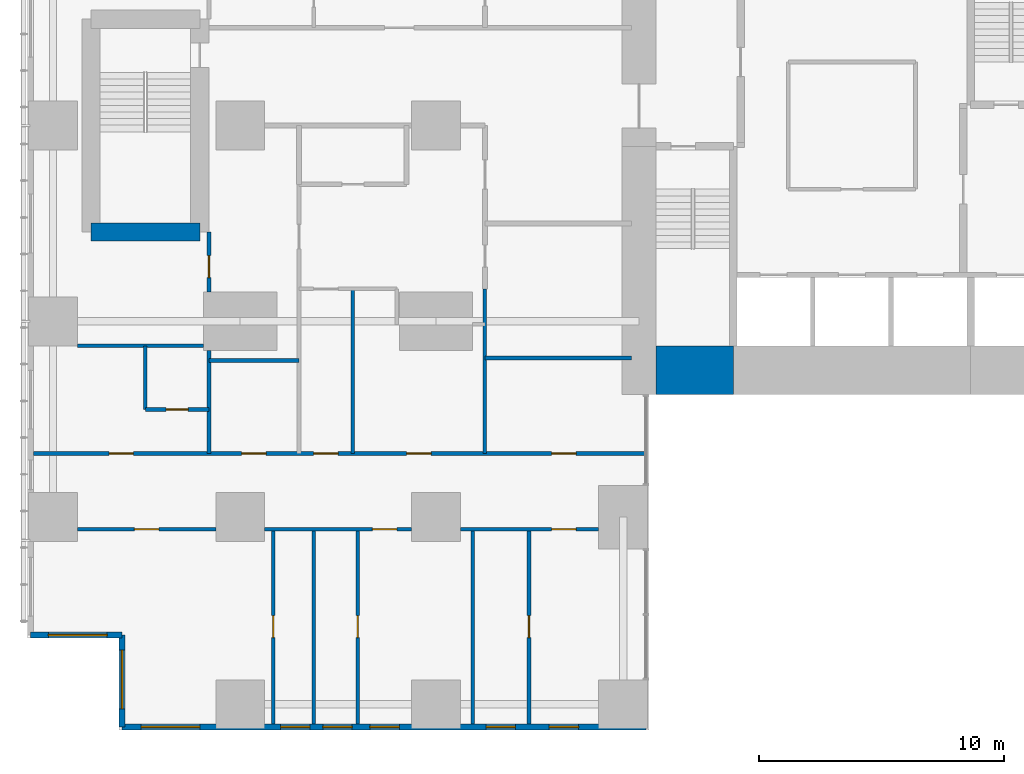
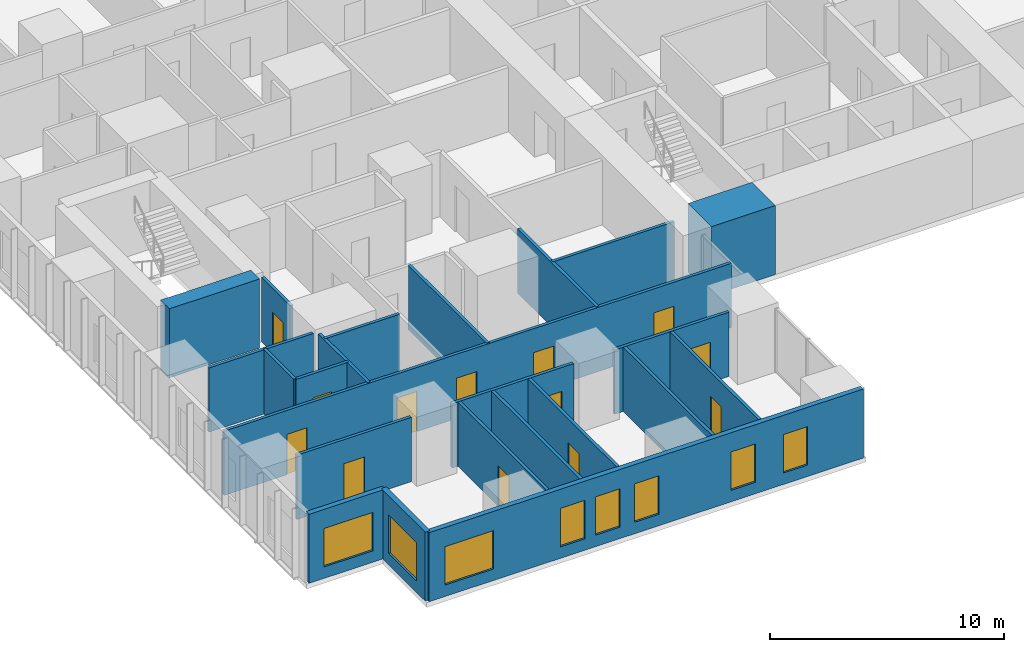
# One storey, part 12 of 20: 23 walls, 13 doors, 8 windows, 21 openings.
"""IFC4 building model written with IfcOpenShell, lengths in metres."""

from ifc_helpers import new_model, si_unit, direction, frame, frame_2d, origin, place, context, subcontext, project, spatial, rectangle, extrude, material, layer, layer_set, type_object, element, fill, save


model = new_model("IFC4")

# Units and contexts
model_context = context("Model", 3, precision=1e-05, world=origin(), true_north=direction((0.0, 1.0)))
body_context = subcontext(model_context, "Body", "Model", "MODEL_VIEW")
ifc_project = project(units=[si_unit("LENGTHUNIT", "METRE"), si_unit("AREAUNIT", "SQUARE_METRE"), si_unit("VOLUMEUNIT", "CUBIC_METRE"), si_unit("PLANEANGLEUNIT", "RADIAN"), si_unit("MASSUNIT", "GRAM", prefix="KILO")], contexts=[model_context])

# Site, building, storey
site_placement = place(None, origin())
site = spatial("IfcSite", under=ifc_project, at=site_placement, CompositionType="ELEMENT")
building_placement = place(site_placement, origin())
building = spatial("IfcBuilding", under=site, at=building_placement, Name="Cleftline Residences", CompositionType="ELEMENT")
storey_placement = place(building_placement, frame((0.0, 0.0, 33.199951171875)))
storey = spatial("IfcBuildingStorey", under=building, at=storey_placement, Name="L07", CompositionType="ELEMENT", Elevation=33.199951171875)

# Wall
ifc_material_1 = material(Name="Concrete B70", Category="concrete")
ifc_layer_1 = layer(ifc_material_1, 2.0)
ifc_layer_set_1 = layer_set([ifc_layer_1], Name="CORE WALL 2000")
wall_type_1 = type_object("IfcWallType", Name="CORE WALL 2000", PredefinedType="SHEAR", material=ifc_layer_set_1)
wall_1_placement = place(storey_placement, frame((25.0, 14.0, 0.0), z_axis=(0.0, 0.0, 1.0), x_axis=(1.0, 0.0, 0.0)))
element("IfcWall", 1, at=wall_1_placement, inside=storey, type_object=wall_type_1, Name="Core wall S1", PredefinedType="SHEAR", context=body_context, shape_type="SweptSolid", body=[
    extrude(rectangle(XDim=3.14990234375, YDim=2.0, at=frame_2d((1.574951171875, 0.0))), origin(), (0.0, 0.0, 1.0), 3.60009765625),
])

# Wall, opening, window
ifc_material_2 = material(Name="Rendered reinforced concrete blockwork", Category="masonry")
ifc_layer_2 = layer(ifc_material_2, 0.25)
ifc_layer_set_2 = layer_set([ifc_layer_2], Name="EXTERNAL WALL 250")
wall_type_2 = type_object("IfcWallType", Name="EXTERNAL WALL 250", PredefinedType="SOLIDWALL", material=ifc_layer_set_2)
wall_2_placement = place(storey_placement, frame((-0.574951171875, 3.175048828125, 0.0), z_axis=(0.0, 0.0, 1.0), x_axis=(1.0, 0.0, 0.0)))
wall_2 = element("IfcWall", 2, at=wall_2_placement, inside=storey, type_object=wall_type_2, Name="External wall", PredefinedType="SOLIDWALL", context=body_context, shape_type="SweptSolid", body=[
    extrude(rectangle(XDim=3.75, YDim=0.25, at=frame_2d((1.875, 0.0))), origin(), (0.0, 0.0, 1.0), 3.60009765625),
])
opening_1_placement = place(wall_2_placement, frame((0.737548828125, 0.0, 0.60009765625)))
opening_1 = element("IfcOpeningElement", 3, at=opening_1_placement, cuts=wall_2, Name="Opening W6", PredefinedType="OPENING", context=body_context, shape_type="SweptSolid", body=[
    extrude(rectangle(XDim=2.39990234375, YDim=2.0, at=frame_2d((1.199951171875, 1.0))), frame((0.0, 0.135009765625, 0.0), z_axis=(0.0, -1.0, 0.0), x_axis=(1.0, 0.0, 0.0)), (0.0, 0.0, 1.0), 0.27001953125),
])
ifc_material_3 = material(Name="Aluminium frame, clear double glazing", Category="aluminium")
window_type_1 = type_object("IfcWindowType", Name="WINDOW 2400X2000", PartitioningType="DOUBLE_PANEL_VERTICAL", PredefinedType="WINDOW", material=ifc_material_3)
window_1_placement = place(opening_1_placement, origin())
window_1 = element("IfcWindow", 4, at=window_1_placement, inside=storey, type_object=window_type_1, Name="Window", OverallHeight=2.0, OverallWidth=2.39990234375, PartitioningType="SINGLE_PANEL", PredefinedType="WINDOW", context=body_context, shape_type="SweptSolid", body=[
    extrude(rectangle(XDim=2.39990234375, YDim=2.0, at=frame_2d((1.199951171875, 1.0))), frame((0.0, 0.030029296875, 0.0), z_axis=(0.0, -1.0, 0.0), x_axis=(1.0, 0.0, 0.0)), (0.0, 0.0, 1.0), 0.06005859375),
])
fill(opening_1, window_1)

wall_3_placement = place(storey_placement, frame((3.175048828125, 3.175048828125, 0.0), z_axis=(0.0, 0.0, 1.0), x_axis=(0.0, -1.0, 0.0)))
wall_3 = element("IfcWall", 5, at=wall_3_placement, inside=storey, type_object=wall_type_2, Name="External wall", PredefinedType="SOLIDWALL", context=body_context, shape_type="SweptSolid", body=[
    extrude(rectangle(XDim=3.75, YDim=0.25, at=frame_2d((1.875, 0.0))), origin(), (0.0, 0.0, 1.0), 3.60009765625),
])
opening_2_placement = place(wall_3_placement, frame((0.612548828125, 0.0, 0.60009765625)))
opening_2 = element("IfcOpeningElement", 6, at=opening_2_placement, cuts=wall_3, Name="Opening W6", PredefinedType="OPENING", context=body_context, shape_type="SweptSolid", body=[
    extrude(rectangle(XDim=2.39990234375, YDim=2.0, at=frame_2d((1.199951171875, 1.0))), frame((0.0, 0.135009765625, 0.0), z_axis=(0.0, -1.0, 0.0), x_axis=(1.0, 0.0, 0.0)), (0.0, 0.0, 1.0), 0.27001953125),
])
window_2_placement = place(opening_2_placement, origin())
window_2 = element("IfcWindow", 7, at=window_2_placement, inside=storey, type_object=window_type_1, Name="Window", OverallHeight=2.0, OverallWidth=2.39990234375, PartitioningType="SINGLE_PANEL", PredefinedType="WINDOW", context=body_context, shape_type="SweptSolid", body=[
    extrude(rectangle(XDim=2.39990234375, YDim=2.0, at=frame_2d((1.199951171875, 1.0))), frame((0.0, 0.030029296875, 0.0), z_axis=(0.0, -1.0, 0.0), x_axis=(1.0, 0.0, 0.0)), (0.0, 0.0, 1.0), 0.06005859375),
])
fill(opening_2, window_2)

# Wall, openings, windows
wall_4_placement = place(storey_placement, frame((3.175048828125, -0.574951171875, 0.0), z_axis=(0.0, 0.0, 1.0), x_axis=(1.0, 0.0, 0.0)))
wall_4 = element("IfcWall", 8, at=wall_4_placement, inside=storey, type_object=wall_type_2, Name="External wall", PredefinedType="SOLIDWALL", context=body_context, shape_type="SweptSolid", body=[
    extrude(rectangle(XDim=21.39990234375, YDim=0.25, at=frame_2d((10.699951171875, 0.0))), origin(), (0.0, 0.0, 1.0), 3.60009765625),
])
opening_3_placement = place(wall_4_placement, frame((0.77490234375, 0.0, 0.60009765625)))
opening_3 = element("IfcOpeningElement", 9, at=opening_3_placement, cuts=wall_4, Name="Opening W6", PredefinedType="OPENING", context=body_context, shape_type="SweptSolid", body=[
    extrude(rectangle(XDim=2.39990234375, YDim=2.0, at=frame_2d((1.199951171875, 1.0))), frame((0.0, 0.135009765625, 0.0), z_axis=(0.0, -1.0, 0.0), x_axis=(1.0, 0.0, 0.0)), (0.0, 0.0, 1.0), 0.27001953125),
])
opening_4_placement = place(wall_4_placement, frame((6.47509765625, 0.0, 0.60009765625)))
opening_4 = element("IfcOpeningElement", 10, at=opening_4_placement, cuts=wall_4, Name="Opening W8", PredefinedType="OPENING", context=body_context, shape_type="SweptSolid", body=[
    extrude(rectangle(XDim=1.199951171875, YDim=2.0, at=frame_2d((0.60009765625, 1.0))), frame((0.0, 0.135009765625, 0.0), z_axis=(0.0, -1.0, 0.0), x_axis=(1.0, 0.0, 0.0)), (0.0, 0.0, 1.0), 0.27001953125),
])
opening_5_placement = place(wall_4_placement, frame((8.199951171875, 0.0, 0.60009765625)))
opening_5 = element("IfcOpeningElement", 11, at=opening_5_placement, cuts=wall_4, Name="Opening W8", PredefinedType="OPENING", context=body_context, shape_type="SweptSolid", body=[
    extrude(rectangle(XDim=1.199951171875, YDim=2.0, at=frame_2d((0.60009765625, 1.0))), frame((0.0, 0.135009765625, 0.0), z_axis=(0.0, -1.0, 0.0), x_axis=(1.0, 0.0, 0.0)), (0.0, 0.0, 1.0), 0.27001953125),
])
opening_6_placement = place(wall_4_placement, frame((10.125, 0.0, 0.60009765625)))
opening_6 = element("IfcOpeningElement", 12, at=opening_6_placement, cuts=wall_4, Name="Opening W8", PredefinedType="OPENING", context=body_context, shape_type="SweptSolid", body=[
    extrude(rectangle(XDim=1.199951171875, YDim=2.0, at=frame_2d((0.60009765625, 1.0))), frame((0.0, 0.135009765625, 0.0), z_axis=(0.0, -1.0, 0.0), x_axis=(1.0, 0.0, 0.0)), (0.0, 0.0, 1.0), 0.27001953125),
])
opening_7_placement = place(wall_4_placement, frame((14.875, 0.0, 0.60009765625)))
opening_7 = element("IfcOpeningElement", 13, at=opening_7_placement, cuts=wall_4, Name="Opening W8", PredefinedType="OPENING", context=body_context, shape_type="SweptSolid", body=[
    extrude(rectangle(XDim=1.199951171875, YDim=2.0, at=frame_2d((0.60009765625, 1.0))), frame((0.0, 0.135009765625, 0.0), z_axis=(0.0, -1.0, 0.0), x_axis=(1.0, 0.0, 0.0)), (0.0, 0.0, 1.0), 0.27001953125),
])
opening_8_placement = place(wall_4_placement, frame((17.449951171875, 0.0, 0.60009765625)))
opening_8 = element("IfcOpeningElement", 14, at=opening_8_placement, cuts=wall_4, Name="Opening W8", PredefinedType="OPENING", context=body_context, shape_type="SweptSolid", body=[
    extrude(rectangle(XDim=1.199951171875, YDim=2.0, at=frame_2d((0.60009765625, 1.0))), frame((0.0, 0.135009765625, 0.0), z_axis=(0.0, -1.0, 0.0), x_axis=(1.0, 0.0, 0.0)), (0.0, 0.0, 1.0), 0.27001953125),
])
ifc_material_4 = material(Name="Aluminium frame, clear double glazing", Category="aluminium")
window_type_2 = type_object("IfcWindowType", Name="WINDOW 1200X2000", PartitioningType="DOUBLE_PANEL_VERTICAL", PredefinedType="WINDOW", material=ifc_material_4)
window_3_placement = place(opening_4_placement, origin())
window_3 = element("IfcWindow", 15, at=window_3_placement, inside=storey, type_object=window_type_2, Name="Window", OverallHeight=2.0, OverallWidth=1.199951171875, PartitioningType="SINGLE_PANEL", PredefinedType="WINDOW", context=body_context, shape_type="SweptSolid", body=[
    extrude(rectangle(XDim=1.199951171875, YDim=2.0, at=frame_2d((0.60009765625, 1.0))), frame((0.0, 0.030029296875, 0.0), z_axis=(0.0, -1.0, 0.0), x_axis=(1.0, 0.0, 0.0)), (0.0, 0.0, 1.0), 0.06005859375),
])
fill(opening_4, window_3)
window_4_placement = place(opening_5_placement, origin())
window_4 = element("IfcWindow", 16, at=window_4_placement, inside=storey, type_object=window_type_2, Name="Window", OverallHeight=2.0, OverallWidth=1.199951171875, PartitioningType="SINGLE_PANEL", PredefinedType="WINDOW", context=body_context, shape_type="SweptSolid", body=[
    extrude(rectangle(XDim=1.199951171875, YDim=2.0, at=frame_2d((0.60009765625, 1.0))), frame((0.0, 0.030029296875, 0.0), z_axis=(0.0, -1.0, 0.0), x_axis=(1.0, 0.0, 0.0)), (0.0, 0.0, 1.0), 0.06005859375),
])
fill(opening_5, window_4)
window_5_placement = place(opening_6_placement, origin())
window_5 = element("IfcWindow", 17, at=window_5_placement, inside=storey, type_object=window_type_2, Name="Window", OverallHeight=2.0, OverallWidth=1.199951171875, PartitioningType="SINGLE_PANEL", PredefinedType="WINDOW", context=body_context, shape_type="SweptSolid", body=[
    extrude(rectangle(XDim=1.199951171875, YDim=2.0, at=frame_2d((0.60009765625, 1.0))), frame((0.0, 0.030029296875, 0.0), z_axis=(0.0, -1.0, 0.0), x_axis=(1.0, 0.0, 0.0)), (0.0, 0.0, 1.0), 0.06005859375),
])
fill(opening_6, window_5)
window_6_placement = place(opening_7_placement, origin())
window_6 = element("IfcWindow", 18, at=window_6_placement, inside=storey, type_object=window_type_2, Name="Window", OverallHeight=2.0, OverallWidth=1.199951171875, PartitioningType="SINGLE_PANEL", PredefinedType="WINDOW", context=body_context, shape_type="SweptSolid", body=[
    extrude(rectangle(XDim=1.199951171875, YDim=2.0, at=frame_2d((0.60009765625, 1.0))), frame((0.0, 0.030029296875, 0.0), z_axis=(0.0, -1.0, 0.0), x_axis=(1.0, 0.0, 0.0)), (0.0, 0.0, 1.0), 0.06005859375),
])
fill(opening_7, window_6)
window_7_placement = place(opening_8_placement, origin())
window_7 = element("IfcWindow", 19, at=window_7_placement, inside=storey, type_object=window_type_2, Name="Window", OverallHeight=2.0, OverallWidth=1.199951171875, PartitioningType="SINGLE_PANEL", PredefinedType="WINDOW", context=body_context, shape_type="SweptSolid", body=[
    extrude(rectangle(XDim=1.199951171875, YDim=2.0, at=frame_2d((0.60009765625, 1.0))), frame((0.0, 0.030029296875, 0.0), z_axis=(0.0, -1.0, 0.0), x_axis=(1.0, 0.0, 0.0)), (0.0, 0.0, 1.0), 0.06005859375),
])
fill(opening_8, window_7)
window_8_placement = place(opening_3_placement, origin())
window_8 = element("IfcWindow", 20, at=window_8_placement, inside=storey, type_object=window_type_1, Name="Window", OverallHeight=2.0, OverallWidth=2.39990234375, PartitioningType="SINGLE_PANEL", PredefinedType="WINDOW", context=body_context, shape_type="SweptSolid", body=[
    extrude(rectangle(XDim=2.39990234375, YDim=2.0, at=frame_2d((1.199951171875, 1.0))), frame((0.0, 0.030029296875, 0.0), z_axis=(0.0, -1.0, 0.0), x_axis=(1.0, 0.0, 0.0)), (0.0, 0.0, 1.0), 0.06005859375),
])
fill(opening_3, window_8)

# Wall, opening, door
ifc_material_5 = material(Name="Gypsum board on steel studs", Category="steel")
ifc_layer_3 = layer(ifc_material_5, 0.14990234375)
ifc_layer_set_3 = layer_set([ifc_layer_3], Name="PARTITION 150")
wall_type_3 = type_object("IfcWallType", Name="PARTITION 150", PredefinedType="PARTITIONING", material=ifc_layer_set_3)
wall_5_placement = place(storey_placement, frame((1.35009765625, 7.5, 0.0), z_axis=(0.0, 0.0, 1.0), x_axis=(1.0, 0.0, 0.0)))
wall_5 = element("IfcWall", 21, at=wall_5_placement, inside=storey, type_object=wall_type_3, Name="Partition", PredefinedType="PARTITIONING", context=body_context, shape_type="SweptSolid", body=[
    extrude(rectangle(XDim=5.64990234375, YDim=0.14990234375, at=frame_2d((2.824951171875, 0.0))), origin(), (0.0, 0.0, 1.0), 3.35009765625),
])
opening_9_placement = place(wall_5_placement, frame((2.324951171875, 0.0, 0.0)))
opening_9 = element("IfcOpeningElement", 22, at=opening_9_placement, cuts=wall_5, Name="Opening D2", PredefinedType="OPENING", context=body_context, shape_type="SweptSolid", body=[
    extrude(rectangle(XDim=1.0, YDim=2.10009765625, at=frame_2d((0.5, 1.050048828125))), frame((0.0, 0.0849609375, 0.0), z_axis=(0.0, -1.0, 0.0), x_axis=(1.0, 0.0, 0.0)), (0.0, 0.0, 1.0), 0.169921875),
])
ifc_material_6 = material(Name="Timber veneer on solid core", Category="wood")
door_type_1 = type_object("IfcDoorType", Name="DOOR 1000X2100", OperationType="SINGLE_SWING_LEFT", PredefinedType="DOOR", material=ifc_material_6)
door_1_placement = place(opening_9_placement, origin())
door_1 = element("IfcDoor", 23, at=door_1_placement, inside=storey, type_object=door_type_1, Name="Door to living room", OperationType="SINGLE_SWING_LEFT", OverallHeight=2.10009765625, OverallWidth=1.0, PredefinedType="DOOR", context=body_context, shape_type="SweptSolid", body=[
    extrude(rectangle(XDim=1.0, YDim=2.10009765625, at=frame_2d((0.5, 1.050048828125))), frame((0.0, 0.02490234375, 0.0), z_axis=(0.0, -1.0, 0.0), x_axis=(1.0, 0.0, 0.0)), (0.0, 0.0, 1.0), 0.050048828125),
])
fill(opening_9, door_1)

wall_6_placement = place(storey_placement, frame((9.0, 7.5, 0.0), z_axis=(0.0, 0.0, 1.0), x_axis=(1.0, 0.0, 0.0)))
wall_6 = element("IfcWall", 24, at=wall_6_placement, inside=storey, type_object=wall_type_3, Name="Partition", PredefinedType="PARTITIONING", context=body_context, shape_type="SweptSolid", body=[
    extrude(rectangle(XDim=6.0, YDim=0.14990234375, at=frame_2d((3.0, 0.0))), origin(), (0.0, 0.0, 1.0), 3.35009765625),
])
opening_10_placement = place(wall_6_placement, frame((4.39990234375, 0.0, 0.0)))
opening_10 = element("IfcOpeningElement", 25, at=opening_10_placement, cuts=wall_6, Name="Opening D2", PredefinedType="OPENING", context=body_context, shape_type="SweptSolid", body=[
    extrude(rectangle(XDim=1.0, YDim=2.10009765625, at=frame_2d((0.5, 1.050048828125))), frame((0.0, 0.0849609375, 0.0), z_axis=(0.0, -1.0, 0.0), x_axis=(1.0, 0.0, 0.0)), (0.0, 0.0, 1.0), 0.169921875),
])
door_2_placement = place(opening_10_placement, origin())
door_2 = element("IfcDoor", 26, at=door_2_placement, inside=storey, type_object=door_type_1, Name="Door to bedroom 2", OperationType="SINGLE_SWING_LEFT", OverallHeight=2.10009765625, OverallWidth=1.0, PredefinedType="DOOR", context=body_context, shape_type="SweptSolid", body=[
    extrude(rectangle(XDim=1.0, YDim=2.10009765625, at=frame_2d((0.5, 1.050048828125))), frame((0.0, 0.02490234375, 0.0), z_axis=(0.0, -1.0, 0.0), x_axis=(1.0, 0.0, 0.0)), (0.0, 0.0, 1.0), 0.050048828125),
])
fill(opening_10, door_2)

wall_7_placement = place(storey_placement, frame((17.0, 7.5, 0.0), z_axis=(0.0, 0.0, 1.0), x_axis=(1.0, 0.0, 0.0)))
wall_7 = element("IfcWall", 27, at=wall_7_placement, inside=storey, type_object=wall_type_3, Name="Partition", PredefinedType="PARTITIONING", context=body_context, shape_type="SweptSolid", body=[
    extrude(rectangle(XDim=5.64990234375, YDim=0.14990234375, at=frame_2d((2.824951171875, 0.0))), origin(), (0.0, 0.0, 1.0), 3.35009765625),
])
opening_11_placement = place(wall_7_placement, frame((3.72509765625, 0.0, 0.0)))
opening_11 = element("IfcOpeningElement", 28, at=opening_11_placement, cuts=wall_7, Name="Opening D2", PredefinedType="OPENING", context=body_context, shape_type="SweptSolid", body=[
    extrude(rectangle(XDim=1.0, YDim=2.10009765625, at=frame_2d((0.5, 1.050048828125))), frame((0.0, 0.0849609375, 0.0), z_axis=(0.0, -1.0, 0.0), x_axis=(1.0, 0.0, 0.0)), (0.0, 0.0, 1.0), 0.169921875),
])
door_3_placement = place(opening_11_placement, origin())
door_3 = element("IfcDoor", 29, at=door_3_placement, inside=storey, type_object=door_type_1, Name="Door to bedroom 3", OperationType="SINGLE_SWING_LEFT", OverallHeight=2.10009765625, OverallWidth=1.0, PredefinedType="DOOR", context=body_context, shape_type="SweptSolid", body=[
    extrude(rectangle(XDim=1.0, YDim=2.10009765625, at=frame_2d((0.5, 1.050048828125))), frame((0.0, 0.02490234375, 0.0), z_axis=(0.0, -1.0, 0.0), x_axis=(1.0, 0.0, 0.0)), (0.0, 0.0, 1.0), 0.050048828125),
])
fill(opening_11, door_3)

# Wall, openings, doors
wall_8_placement = place(storey_placement, frame((-0.449951171875, 10.60009765625, 0.0), z_axis=(0.0, 0.0, 1.0), x_axis=(1.0, 0.0, 0.0)))
wall_8 = element("IfcWall", 30, at=wall_8_placement, inside=storey, type_object=wall_type_3, Name="Partition", PredefinedType="PARTITIONING", context=body_context, shape_type="SweptSolid", body=[
    extrude(rectangle(XDim=25.010986328125, YDim=0.14990234375, at=frame_2d((12.50537109375, 0.0))), origin(), (0.0, 0.0, 1.0), 3.35009765625),
])
opening_12_placement = place(wall_8_placement, frame((11.449951171875, 0.0, 0.0)))
opening_12 = element("IfcOpeningElement", 31, at=opening_12_placement, cuts=wall_8, Name="Opening D2", PredefinedType="OPENING", context=body_context, shape_type="SweptSolid", body=[
    extrude(rectangle(XDim=1.0, YDim=2.10009765625, at=frame_2d((0.5, 1.050048828125))), frame((0.0, 0.0849609375, 0.0), z_axis=(0.0, -1.0, 0.0), x_axis=(1.0, 0.0, 0.0)), (0.0, 0.0, 1.0), 0.169921875),
])
opening_13_placement = place(wall_8_placement, frame((3.08740234375, 0.0, 0.0)))
opening_13 = element("IfcOpeningElement", 32, at=opening_13_placement, cuts=wall_8, Name="Opening D2", PredefinedType="OPENING", context=body_context, shape_type="SweptSolid", body=[
    extrude(rectangle(XDim=1.0, YDim=2.10009765625, at=frame_2d((0.5, 1.050048828125))), frame((0.0, 0.0849609375, 0.0), z_axis=(0.0, -1.0, 0.0), x_axis=(1.0, 0.0, 0.0)), (0.0, 0.0, 1.0), 0.169921875),
])
opening_14_placement = place(wall_8_placement, frame((8.512451171875, 0.0, 0.0)))
opening_14 = element("IfcOpeningElement", 33, at=opening_14_placement, cuts=wall_8, Name="Opening D2", PredefinedType="OPENING", context=body_context, shape_type="SweptSolid", body=[
    extrude(rectangle(XDim=1.0, YDim=2.10009765625, at=frame_2d((0.5, 1.050048828125))), frame((0.0, 0.0849609375, 0.0), z_axis=(0.0, -1.0, 0.0), x_axis=(1.0, 0.0, 0.0)), (0.0, 0.0, 1.0), 0.169921875),
])
opening_15_placement = place(wall_8_placement, frame((15.25, 0.0, 0.0)))
opening_15 = element("IfcOpeningElement", 34, at=opening_15_placement, cuts=wall_8, Name="Opening D2", PredefinedType="OPENING", context=body_context, shape_type="SweptSolid", body=[
    extrude(rectangle(XDim=1.0, YDim=2.10009765625, at=frame_2d((0.5, 1.050048828125))), frame((0.0, 0.0849609375, 0.0), z_axis=(0.0, -1.0, 0.0), x_axis=(1.0, 0.0, 0.0)), (0.0, 0.0, 1.0), 0.169921875),
])
opening_16_placement = place(wall_8_placement, frame((21.175048828125, 0.0, 0.0)))
opening_16 = element("IfcOpeningElement", 35, at=opening_16_placement, cuts=wall_8, Name="Opening D2", PredefinedType="OPENING", context=body_context, shape_type="SweptSolid", body=[
    extrude(rectangle(XDim=1.0, YDim=2.10009765625, at=frame_2d((0.5, 1.050048828125))), frame((0.0, 0.0849609375, 0.0), z_axis=(0.0, -1.0, 0.0), x_axis=(1.0, 0.0, 0.0)), (0.0, 0.0, 1.0), 0.169921875),
])
door_4_placement = place(opening_12_placement, origin())
door_4 = element("IfcDoor", 36, at=door_4_placement, inside=storey, type_object=door_type_1, Name="Door to residence hall", OperationType="SINGLE_SWING_RIGHT", OverallHeight=2.10009765625, OverallWidth=1.0, PredefinedType="DOOR", context=body_context, shape_type="SweptSolid", body=[
    extrude(rectangle(XDim=1.0, YDim=2.10009765625, at=frame_2d((0.5, 1.050048828125))), frame((0.0, 0.02490234375, 0.0), z_axis=(0.0, -1.0, 0.0), x_axis=(1.0, 0.0, 0.0)), (0.0, 0.0, 1.0), 0.050048828125),
])
fill(opening_12, door_4)
door_5_placement = place(opening_13_placement, origin())
door_5 = element("IfcDoor", 37, at=door_5_placement, inside=storey, type_object=door_type_1, Name="Door to master bedroom", OperationType="SINGLE_SWING_RIGHT", OverallHeight=2.10009765625, OverallWidth=1.0, PredefinedType="DOOR", context=body_context, shape_type="SweptSolid", body=[
    extrude(rectangle(XDim=1.0, YDim=2.10009765625, at=frame_2d((0.5, 1.050048828125))), frame((0.0, 0.02490234375, 0.0), z_axis=(0.0, -1.0, 0.0), x_axis=(1.0, 0.0, 0.0)), (0.0, 0.0, 1.0), 0.050048828125),
])
fill(opening_13, door_5)
door_6_placement = place(opening_14_placement, origin())
door_6 = element("IfcDoor", 38, at=door_6_placement, inside=storey, type_object=door_type_1, Name="Door to show kitchen", OperationType="SINGLE_SWING_RIGHT", OverallHeight=2.10009765625, OverallWidth=1.0, PredefinedType="DOOR", context=body_context, shape_type="SweptSolid", body=[
    extrude(rectangle(XDim=1.0, YDim=2.10009765625, at=frame_2d((0.5, 1.050048828125))), frame((0.0, 0.02490234375, 0.0), z_axis=(0.0, -1.0, 0.0), x_axis=(1.0, 0.0, 0.0)), (0.0, 0.0, 1.0), 0.050048828125),
])
fill(opening_14, door_6)
door_7_placement = place(opening_15_placement, origin())
door_7 = element("IfcDoor", 39, at=door_7_placement, inside=storey, type_object=door_type_1, Name="Door to dining room", OperationType="SINGLE_SWING_LEFT", OverallHeight=2.10009765625, OverallWidth=1.0, PredefinedType="DOOR", context=body_context, shape_type="SweptSolid", body=[
    extrude(rectangle(XDim=1.0, YDim=2.10009765625, at=frame_2d((0.5, 1.050048828125))), frame((0.0, 0.02490234375, 0.0), z_axis=(0.0, -1.0, 0.0), x_axis=(1.0, 0.0, 0.0)), (0.0, 0.0, 1.0), 0.050048828125),
])
fill(opening_15, door_7)
door_8_placement = place(opening_16_placement, origin())
door_8 = element("IfcDoor", 40, at=door_8_placement, inside=storey, type_object=door_type_1, Name="Door to wet kitchen", OperationType="SINGLE_SWING_LEFT", OverallHeight=2.10009765625, OverallWidth=1.0, PredefinedType="DOOR", context=body_context, shape_type="SweptSolid", body=[
    extrude(rectangle(XDim=1.0, YDim=2.10009765625, at=frame_2d((0.5, 1.050048828125))), frame((0.0, 0.02490234375, 0.0), z_axis=(0.0, -1.0, 0.0), x_axis=(1.0, 0.0, 0.0)), (0.0, 0.0, 1.0), 0.050048828125),
])
fill(opening_16, door_8)

# Wall, opening, door
wall_9_placement = place(storey_placement, frame((4.125, 12.39990234375, 0.0), z_axis=(0.0, 0.0, 1.0), x_axis=(1.0, 0.0, 0.0)))
wall_9 = element("IfcWall", 41, at=wall_9_placement, inside=storey, type_object=wall_type_3, Name="Partition", PredefinedType="PARTITIONING", context=body_context, shape_type="SweptSolid", body=[
    extrude(rectangle(XDim=2.60009765625, YDim=0.14990234375, at=frame_2d((1.300048828125, 0.0))), origin(), (0.0, 0.0, 1.0), 3.35009765625),
])
opening_17_placement = place(wall_9_placement, frame((0.85009765625, 0.0, 0.0)))
opening_17 = element("IfcOpeningElement", 42, at=opening_17_placement, cuts=wall_9, Name="Opening D1", PredefinedType="OPENING", context=body_context, shape_type="SweptSolid", body=[
    extrude(rectangle(XDim=0.89990234375, YDim=2.10009765625, at=frame_2d((0.449951171875, 1.050048828125))), frame((0.0, 0.0849609375, 0.0), z_axis=(0.0, -1.0, 0.0), x_axis=(1.0, 0.0, 0.0)), (0.0, 0.0, 1.0), 0.169921875),
])
ifc_material_7 = material(Name="Timber veneer on solid core", Category="wood")
door_type_2 = type_object("IfcDoorType", Name="DOOR 900X2100", OperationType="SINGLE_SWING_LEFT", PredefinedType="DOOR", material=ifc_material_7)
door_9_placement = place(opening_17_placement, origin())
door_9 = element("IfcDoor", 43, at=door_9_placement, inside=storey, type_object=door_type_2, Name="Door to master bathroom", OperationType="SINGLE_SWING_LEFT", OverallHeight=2.10009765625, OverallWidth=0.89990234375, PredefinedType="DOOR", context=body_context, shape_type="SweptSolid", body=[
    extrude(rectangle(XDim=0.89990234375, YDim=2.10009765625, at=frame_2d((0.449951171875, 1.050048828125))), frame((0.0, 0.02490234375, 0.0), z_axis=(0.0, -1.0, 0.0), x_axis=(1.0, 0.0, 0.0)), (0.0, 0.0, 1.0), 0.050048828125),
])
fill(opening_17, door_9)

# Walls
wall_10_placement = place(storey_placement, frame((6.72509765625, 14.39990234375, 0.0), z_axis=(0.0, 0.0, 1.0), x_axis=(1.0, 0.0, 0.0)))
element("IfcWall", 44, at=wall_10_placement, inside=storey, type_object=wall_type_3, Name="Partition", PredefinedType="PARTITIONING", context=body_context, shape_type="SweptSolid", body=[
    extrude(rectangle(XDim=3.6748046875, YDim=0.14990234375, at=frame_2d((1.83740234375, 0.0))), origin(), (0.0, 0.0, 1.0), 3.35009765625),
])
wall_11_placement = place(storey_placement, frame((18.0, 14.5, 0.0), z_axis=(0.0, 0.0, 1.0), x_axis=(1.0, 0.0, 0.0)))
element("IfcWall", 45, at=wall_11_placement, inside=storey, type_object=wall_type_3, Name="Partition", PredefinedType="PARTITIONING", context=body_context, shape_type="SweptSolid", body=[
    extrude(rectangle(XDim=6.0, YDim=0.14990234375, at=frame_2d((3.0, 0.0))), origin(), (0.0, 0.0, 1.0), 3.35009765625),
])
wall_12_placement = place(storey_placement, frame((1.35009765625, 15.0, 0.0), z_axis=(0.0, 0.0, 1.0), x_axis=(1.0, 0.0, 0.0)))
element("IfcWall", 46, at=wall_12_placement, inside=storey, type_object=wall_type_3, Name="Partition", PredefinedType="PARTITIONING", context=body_context, shape_type="SweptSolid", body=[
    extrude(rectangle(XDim=5.14990234375, YDim=0.14990234375, at=frame_2d((2.574951171875, 0.0))), origin(), (0.0, 0.0, 1.0), 3.35009765625),
])
wall_13_placement = place(storey_placement, frame((4.125, 12.39990234375, 0.0), z_axis=(0.0, 0.0, 1.0), x_axis=(0.0, 1.0, 0.0)))
element("IfcWall", 47, at=wall_13_placement, inside=storey, type_object=wall_type_3, Name="Partition", PredefinedType="PARTITIONING", context=body_context, shape_type="SweptSolid", body=[
    extrude(rectangle(XDim=2.60009765625, YDim=0.14990234375, at=frame_2d((1.300048828125, 0.0))), origin(), (0.0, 0.0, 1.0), 3.35009765625),
])
wall_14_placement = place(storey_placement, frame((6.72509765625, 10.60009765625, 0.0), z_axis=(0.0, 0.0, 1.0), x_axis=(0.0, 1.0, 0.0)))
element("IfcWall", 48, at=wall_14_placement, inside=storey, type_object=wall_type_3, Name="Partition", PredefinedType="PARTITIONING", context=body_context, shape_type="SweptSolid", body=[
    extrude(rectangle(XDim=4.199951171875, YDim=0.14990234375, at=frame_2d((2.10009765625, 0.0))), origin(), (0.0, 0.0, 1.0), 3.35009765625),
])

# Wall, opening, door
wall_15_placement = place(storey_placement, frame((6.72509765625, 17.199951171875, 0.0), z_axis=(0.0, 0.0, 1.0), x_axis=(0.0, 1.0, 0.0)))
wall_15 = element("IfcWall", 49, at=wall_15_placement, inside=storey, type_object=wall_type_3, Name="Partition", PredefinedType="PARTITIONING", context=body_context, shape_type="SweptSolid", body=[
    extrude(rectangle(XDim=2.449951171875, YDim=0.14990234375, at=frame_2d((1.22509765625, 0.0))), origin(), (0.0, 0.0, 1.0), 3.35009765625),
])
opening_18_placement = place(wall_15_placement, frame((0.58740234375, 0.0, 0.0)))
opening_18 = element("IfcOpeningElement", 50, at=opening_18_placement, cuts=wall_15, Name="Opening D1", PredefinedType="OPENING", context=body_context, shape_type="SweptSolid", body=[
    extrude(rectangle(XDim=0.89990234375, YDim=2.10009765625, at=frame_2d((0.449951171875, 1.050048828125))), frame((0.0, 0.0849609375, 0.0), z_axis=(0.0, -1.0, 0.0), x_axis=(1.0, 0.0, 0.0)), (0.0, 0.0, 1.0), 0.169921875),
])
door_10_placement = place(opening_18_placement, origin())
door_10 = element("IfcDoor", 51, at=door_10_placement, inside=storey, type_object=door_type_2, Name="Door to drying loggia", OperationType="SINGLE_SWING_RIGHT", OverallHeight=2.10009765625, OverallWidth=0.89990234375, PredefinedType="DOOR", context=body_context, shape_type="SweptSolid", body=[
    extrude(rectangle(XDim=0.89990234375, YDim=2.10009765625, at=frame_2d((0.449951171875, 1.050048828125))), frame((0.0, 0.02490234375, 0.0), z_axis=(0.0, -1.0, 0.0), x_axis=(1.0, 0.0, 0.0)), (0.0, 0.0, 1.0), 0.050048828125),
])
fill(opening_18, door_10)

wall_16_placement = place(storey_placement, frame((9.35009765625, -0.449951171875, 0.0), z_axis=(0.0, 0.0, 1.0), x_axis=(0.0, 1.0, 0.0)))
wall_16 = element("IfcWall", 52, at=wall_16_placement, inside=storey, type_object=wall_type_3, Name="Partition", PredefinedType="PARTITIONING", context=body_context, shape_type="SweptSolid", body=[
    extrude(rectangle(XDim=7.949951171875, YDim=0.14990234375, at=frame_2d((3.97509765625, 0.0))), origin(), (0.0, 0.0, 1.0), 3.35009765625),
])
opening_19_placement = place(wall_16_placement, frame((3.52490234375, 0.0, 0.0)))
opening_19 = element("IfcOpeningElement", 53, at=opening_19_placement, cuts=wall_16, Name="Opening D1", PredefinedType="OPENING", context=body_context, shape_type="SweptSolid", body=[
    extrude(rectangle(XDim=0.89990234375, YDim=2.10009765625, at=frame_2d((0.449951171875, 1.050048828125))), frame((0.0, 0.0849609375, 0.0), z_axis=(0.0, -1.0, 0.0), x_axis=(1.0, 0.0, 0.0)), (0.0, 0.0, 1.0), 0.169921875),
])
door_11_placement = place(opening_19_placement, origin())
door_11 = element("IfcDoor", 54, at=door_11_placement, inside=storey, type_object=door_type_2, Name="Door to store room", OperationType="SINGLE_SWING_LEFT", OverallHeight=2.10009765625, OverallWidth=0.89990234375, PredefinedType="DOOR", context=body_context, shape_type="SweptSolid", body=[
    extrude(rectangle(XDim=0.89990234375, YDim=2.10009765625, at=frame_2d((0.449951171875, 1.050048828125))), frame((0.0, 0.02490234375, 0.0), z_axis=(0.0, -1.0, 0.0), x_axis=(1.0, 0.0, 0.0)), (0.0, 0.0, 1.0), 0.050048828125),
])
fill(opening_19, door_11)

# Walls
wall_17_placement = place(storey_placement, frame((11.0, -0.449951171875, 0.0), z_axis=(0.0, 0.0, 1.0), x_axis=(0.0, 1.0, 0.0)))
element("IfcWall", 55, at=wall_17_placement, inside=storey, type_object=wall_type_3, Name="Partition", PredefinedType="PARTITIONING", context=body_context, shape_type="SweptSolid", body=[
    extrude(rectangle(XDim=7.949951171875, YDim=0.14990234375, at=frame_2d((3.97509765625, 0.0))), origin(), (0.0, 0.0, 1.0), 3.35009765625),
])
wall_18_placement = place(storey_placement, frame((12.60009765625, 10.60009765625, 0.0), z_axis=(0.0, 0.0, 1.0), x_axis=(0.0, 1.0, 0.0)))
element("IfcWall", 56, at=wall_18_placement, inside=storey, type_object=wall_type_3, Name="Partition", PredefinedType="PARTITIONING", context=body_context, shape_type="SweptSolid", body=[
    extrude(rectangle(XDim=6.724853515625, YDim=0.14990234375, at=frame_2d((3.3623046875, 0.0))), origin(), (0.0, 0.0, 1.0), 3.35009765625),
])

# Wall, opening, door
wall_19_placement = place(storey_placement, frame((12.800048828125, -0.449951171875, 0.0), z_axis=(0.0, 0.0, 1.0), x_axis=(0.0, 1.0, 0.0)))
wall_19 = element("IfcWall", 57, at=wall_19_placement, inside=storey, type_object=wall_type_3, Name="Partition", PredefinedType="PARTITIONING", context=body_context, shape_type="SweptSolid", body=[
    extrude(rectangle(XDim=7.949951171875, YDim=0.14990234375, at=frame_2d((3.97509765625, 0.0))), origin(), (0.0, 0.0, 1.0), 3.35009765625),
])
opening_20_placement = place(wall_19_placement, frame((3.52490234375, 0.0, 0.0)))
opening_20 = element("IfcOpeningElement", 58, at=opening_20_placement, cuts=wall_19, Name="Opening D1", PredefinedType="OPENING", context=body_context, shape_type="SweptSolid", body=[
    extrude(rectangle(XDim=0.89990234375, YDim=2.10009765625, at=frame_2d((0.449951171875, 1.050048828125))), frame((0.0, 0.0849609375, 0.0), z_axis=(0.0, -1.0, 0.0), x_axis=(1.0, 0.0, 0.0)), (0.0, 0.0, 1.0), 0.169921875),
])
door_12_placement = place(opening_20_placement, origin())
door_12 = element("IfcDoor", 59, at=door_12_placement, inside=storey, type_object=door_type_2, Name="Door to en-suite bathroom 2", OperationType="SINGLE_SWING_LEFT", OverallHeight=2.10009765625, OverallWidth=0.89990234375, PredefinedType="DOOR", context=body_context, shape_type="SweptSolid", body=[
    extrude(rectangle(XDim=0.89990234375, YDim=2.10009765625, at=frame_2d((0.449951171875, 1.050048828125))), frame((0.0, 0.02490234375, 0.0), z_axis=(0.0, -1.0, 0.0), x_axis=(1.0, 0.0, 0.0)), (0.0, 0.0, 1.0), 0.050048828125),
])
fill(opening_20, door_12)

# Walls
wall_20_placement = place(storey_placement, frame((17.5, -0.449951171875, 0.0), z_axis=(0.0, 0.0, 1.0), x_axis=(0.0, 1.0, 0.0)))
element("IfcWall", 60, at=wall_20_placement, inside=storey, type_object=wall_type_3, Name="Partition", PredefinedType="PARTITIONING", context=body_context, shape_type="SweptSolid", body=[
    extrude(rectangle(XDim=7.949951171875, YDim=0.14990234375, at=frame_2d((3.97509765625, 0.0))), origin(), (0.0, 0.0, 1.0), 3.35009765625),
])
wall_21_placement = place(storey_placement, frame((18.0, 10.60009765625, 0.0), z_axis=(0.0, 0.0, 1.0), x_axis=(0.0, 1.0, 0.0)))
element("IfcWall", 61, at=wall_21_placement, inside=storey, type_object=wall_type_3, Name="Partition", PredefinedType="PARTITIONING", context=body_context, shape_type="SweptSolid", body=[
    extrude(rectangle(XDim=6.724853515625, YDim=0.14990234375, at=frame_2d((3.3623046875, 0.0))), origin(), (0.0, 0.0, 1.0), 3.35009765625),
])

# Wall, opening, door
wall_22_placement = place(storey_placement, frame((19.800048828125, -0.449951171875, 0.0), z_axis=(0.0, 0.0, 1.0), x_axis=(0.0, 1.0, 0.0)))
wall_22 = element("IfcWall", 62, at=wall_22_placement, inside=storey, type_object=wall_type_3, Name="Partition", PredefinedType="PARTITIONING", context=body_context, shape_type="SweptSolid", body=[
    extrude(rectangle(XDim=7.949951171875, YDim=0.14990234375, at=frame_2d((3.97509765625, 0.0))), origin(), (0.0, 0.0, 1.0), 3.35009765625),
])
opening_21_placement = place(wall_22_placement, frame((3.52490234375, 0.0, 0.0)))
opening_21 = element("IfcOpeningElement", 63, at=opening_21_placement, cuts=wall_22, Name="Opening D1", PredefinedType="OPENING", context=body_context, shape_type="SweptSolid", body=[
    extrude(rectangle(XDim=0.89990234375, YDim=2.10009765625, at=frame_2d((0.449951171875, 1.050048828125))), frame((0.0, 0.0849609375, 0.0), z_axis=(0.0, -1.0, 0.0), x_axis=(1.0, 0.0, 0.0)), (0.0, 0.0, 1.0), 0.169921875),
])
door_13_placement = place(opening_21_placement, origin())
door_13 = element("IfcDoor", 64, at=door_13_placement, inside=storey, type_object=door_type_2, Name="Door to en-suite bathroom 3", OperationType="SINGLE_SWING_LEFT", OverallHeight=2.10009765625, OverallWidth=0.89990234375, PredefinedType="DOOR", context=body_context, shape_type="SweptSolid", body=[
    extrude(rectangle(XDim=0.89990234375, YDim=2.10009765625, at=frame_2d((0.449951171875, 1.050048828125))), frame((0.0, 0.02490234375, 0.0), z_axis=(0.0, -1.0, 0.0), x_axis=(1.0, 0.0, 0.0)), (0.0, 0.0, 1.0), 0.050048828125),
])
fill(opening_21, door_13)

# Wall
ifc_material_8 = material(Name="Concrete B70", Category="concrete")
ifc_layer_4 = layer(ifc_material_8, 0.75)
ifc_layer_set_4 = layer_set([ifc_layer_4], Name="SHEAR WALL 750")
wall_type_4 = type_object("IfcWallType", Name="SHEAR WALL 750", PredefinedType="SHEAR", material=ifc_layer_set_4)
wall_23_placement = place(storey_placement, frame((1.89990234375, 19.64990234375, 0.0), z_axis=(0.0, 0.0, 1.0), x_axis=(1.0, 0.0, 0.0)))
element("IfcWall", 65, at=wall_23_placement, inside=storey, type_object=wall_type_4, Name="Wing shear wall", PredefinedType="SHEAR", context=body_context, shape_type="SweptSolid", body=[
    extrude(rectangle(XDim=4.4501953125, YDim=0.75, at=frame_2d((2.22509765625, 0.0))), origin(), (0.0, 0.0, 1.0), 3.60009765625),
])

save(model, "model.ifc")
